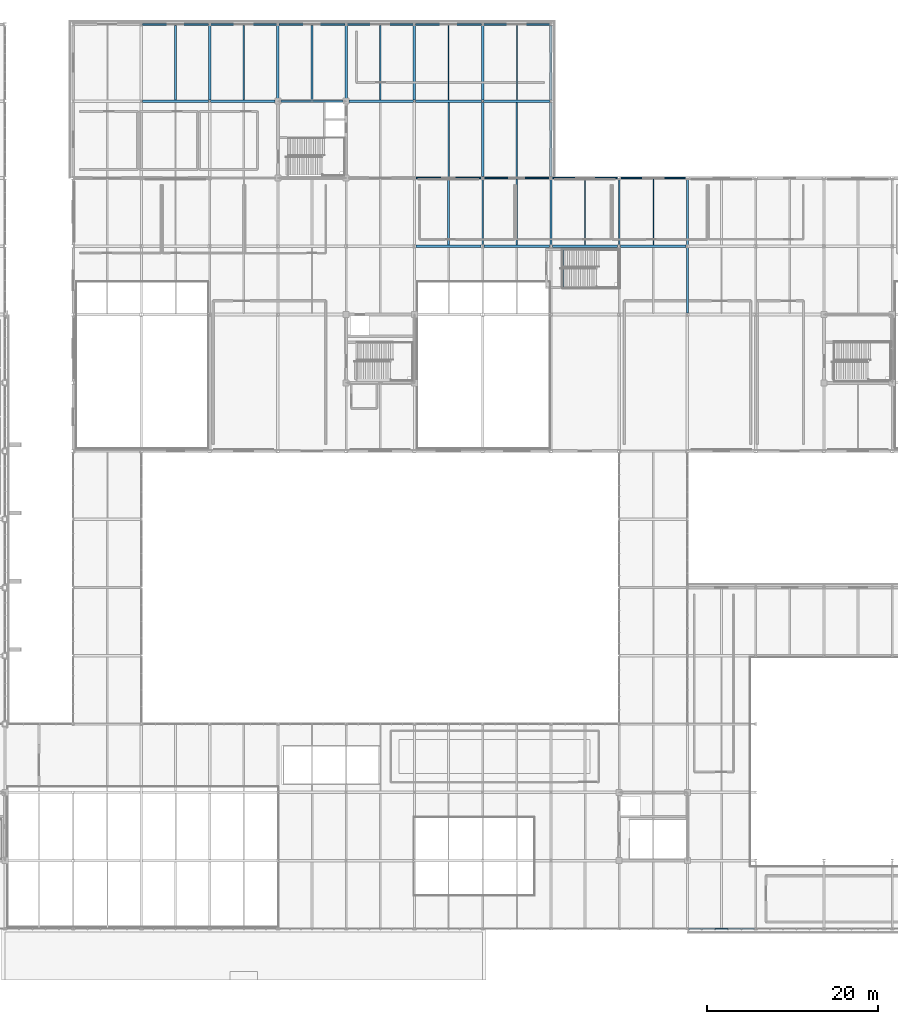
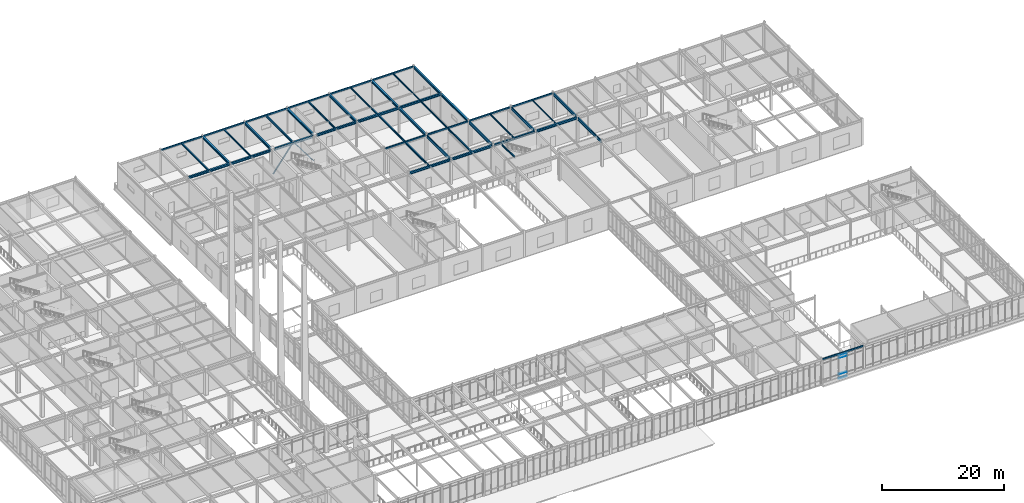
# One storey, part 71 of 184: 47 beams, 6 members, 1 element without a shape of its own.
"""IFC4 building model written with IfcOpenShell, lengths in metres."""

from ifc_helpers import new_model, si_unit, direction, frame, origin, origin_2d, place, context, subcontext, project, spatial, rectangle, hollow_rectangle, i_section, extrude, material, material_profile, profile_set, type_object, element, aggregate, save


model = new_model("IFC4")

# Units and contexts
model_context = context("Model", 3, precision=1e-05, world=origin(), true_north=direction((0.0, 1.0)))
body_context = subcontext(model_context, "Body", "Model", "MODEL_VIEW")
ifc_project = project(units=[si_unit("LENGTHUNIT", "METRE"), si_unit("AREAUNIT", "SQUARE_METRE"), si_unit("VOLUMEUNIT", "CUBIC_METRE"), si_unit("PLANEANGLEUNIT", "RADIAN"), si_unit("MASSUNIT", "GRAM", prefix="KILO")], contexts=[model_context])

# Site, building, storey
site_placement = place(None, origin())
site = spatial("IfcSite", under=ifc_project, at=site_placement, CompositionType="ELEMENT")
building_placement = place(site_placement, origin())
building = spatial("IfcBuilding", under=site, at=building_placement, Name="Zhaolan Boulevard Law Courts", CompositionType="ELEMENT")
storey_placement = place(building_placement, frame((0.0, 0.0, 5.39990234375)))
storey = spatial("IfcBuildingStorey", under=building, at=storey_placement, Name="L01", CompositionType="ELEMENT", Elevation=5.39990234375)

# Members
ifc_material_1 = material(Name="Structural steel Q355B", Category="steel")
ifc_material_profile_1 = material_profile(ifc_material_1, hollow_rectangle(XDim=0.179931640625, YDim=0.179931640625, WallThickness=0.008056640625, InnerFilletRadius=0.008056640625, OuterFilletRadius=0.01611328125, at=origin_2d()), Name="HSS180x180x8")
ifc_profile_set_1 = profile_set([ifc_material_profile_1], Name="Structural steel Q355B")
member_type_1 = type_object("IfcMemberType", Name="BRACE HSS180", PredefinedType="BRACE", material=ifc_profile_set_1)
member_1_placement = place(storey_placement, frame((83.820068359375, 103.0, 0.030029296875), z_axis=(-0.600251625626, 0.0, 0.799811218935), x_axis=(0.0, -1.0, 0.0)))
element("IfcMember", 1, at=member_1_placement, inside=storey, type_object=member_type_1, Name="Core Brace BR-C1-L01-N2", PredefinedType="BRACE", context=body_context, shape_type="SweptSolid", body=[
    extrude(hollow_rectangle(XDim=0.179931640625, YDim=0.179931640625, WallThickness=0.008056640625, InnerFilletRadius=0.008056640625, OuterFilletRadius=0.01611328125, at=origin_2d()), origin(), (0.0, 0.0, 1.0), 6.364013671875),
])
ifc_material_2 = material(Name="Structural steel Q355B", Category="steel")
ifc_material_profile_2 = material_profile(ifc_material_2, hollow_rectangle(XDim=0.199951171875, YDim=0.199951171875, WallThickness=0.010009765625, InnerFilletRadius=0.010009765625, OuterFilletRadius=0.02001953125, at=origin_2d()), Name="HSS200x200x10")
ifc_profile_set_2 = profile_set([ifc_material_profile_2], Name="Structural steel Q355B")
member_type_2 = type_object("IfcMemberType", Name="BRACE HSS200", PredefinedType="BRACE", material=ifc_profile_set_2)
member_2_placement = place(storey_placement, frame((76.179931640625, 103.0, 0.030029296875), z_axis=(0.600251625626, 0.0, 0.799811218935), x_axis=(0.0, 1.0, 0.0)))
element("IfcMember", 2, at=member_2_placement, inside=storey, type_object=member_type_2, Name="Core Brace BR-C1-L01-N1", PredefinedType="BRACE", context=body_context, shape_type="SweptSolid", body=[
    extrude(hollow_rectangle(XDim=0.199951171875, YDim=0.199951171875, WallThickness=0.010009765625, InnerFilletRadius=0.010009765625, OuterFilletRadius=0.02001953125, at=origin_2d()), origin(), (0.0, 0.0, 1.0), 6.364013671875),
])

# Curtain wall, members
ifc_material_3 = material(Name="Thermally broken aluminium and low-E glazing", Category="aluminium")
curtain_wall_type = type_object("IfcCurtainWallType", Name="CURTAIN WALL M8", PredefinedType="USERDEFINED", material=ifc_material_3)
curtain_wall_placement = place(storey_placement, origin())
curtain_wall = element("IfcCurtainWall", 3, at=curtain_wall_placement, inside=storey, type_object=curtain_wall_type, Name="Curtain Wall CW-L01-056", ObjectType="CURTAIN WALL", PredefinedType="USERDEFINED")
ifc_material_4 = material(Name="Fluorocarbon-coated aluminium 6063-T6", Category="aluminium")
ifc_material_profile_3 = material_profile(ifc_material_4, rectangle(XDim=0.139892578125, YDim=0.06494140625, at=origin_2d()), Name="AL65x140")
ifc_profile_set_3 = profile_set([ifc_material_profile_3], Name="Fluorocarbon-coated aluminium 6063-T6")
member_type_3 = type_object("IfcMemberType", Name="CWTRANSOM 65X140", PredefinedType="USERDEFINED", material=ifc_profile_set_3)
member_3_placement = place(storey_placement, frame((127.2578125, 6.0, 0.03271484375), z_axis=(1.0, 0.0, 0.0), x_axis=(0.0, 1.0, 0.0)))
member_3 = element("IfcMember", 4, at=member_3_placement, type_object=member_type_3, Name="CW-L01-056 transom 3.1", ObjectType="TRANSOM", PredefinedType="USERDEFINED", context=body_context, shape_type="SweptSolid", body=[
    extrude(rectangle(XDim=0.139892578125, YDim=0.06494140625, at=origin_2d()), origin(), (0.0, 0.0, 1.0), 1.484375),
])
member_4_placement = place(storey_placement, frame((127.2578125, 6.0, 0.900146484375), z_axis=(1.0, 0.0, 0.0), x_axis=(0.0, 1.0, 0.0)))
member_4 = element("IfcMember", 5, at=member_4_placement, type_object=member_type_3, Name="CW-L01-056 transom 3.2", ObjectType="TRANSOM", PredefinedType="USERDEFINED", context=body_context, shape_type="SweptSolid", body=[
    extrude(rectangle(XDim=0.139892578125, YDim=0.06494140625, at=origin_2d()), origin(), (0.0, 0.0, 1.0), 1.484375),
])
member_5_placement = place(storey_placement, frame((127.2578125, 6.0, 4.153076171875), z_axis=(1.0, 0.0, 0.0), x_axis=(0.0, 1.0, 0.0)))
member_5 = element("IfcMember", 6, at=member_5_placement, type_object=member_type_3, Name="CW-L01-056 transom 3.3", ObjectType="TRANSOM", PredefinedType="USERDEFINED", context=body_context, shape_type="SweptSolid", body=[
    extrude(rectangle(XDim=0.139892578125, YDim=0.06494140625, at=origin_2d()), origin(), (0.0, 0.0, 1.0), 1.484375),
])
member_6_placement = place(storey_placement, frame((127.2578125, 6.0, 4.7705078125), z_axis=(1.0, 0.0, 0.0), x_axis=(0.0, 1.0, 0.0)))
member_6 = element("IfcMember", 7, at=member_6_placement, type_object=member_type_3, Name="CW-L01-056 transom 3.4", ObjectType="TRANSOM", PredefinedType="USERDEFINED", context=body_context, shape_type="SweptSolid", body=[
    extrude(rectangle(XDim=0.139892578125, YDim=0.06494140625, at=origin_2d()), origin(), (0.0, 0.0, 1.0), 1.484375),
])
aggregate(curtain_wall, [member_3, member_4, member_5, member_6])

# Beams
ifc_material_5 = material(Name="Structural steel Q355B", Category="steel")
ifc_material_profile_4 = material_profile(ifc_material_5, i_section(OverallWidth=0.300048828125, OverallDepth=0.43994140625, WebThickness=0.010986328125, FlangeThickness=0.01806640625, FilletRadius=0.02001953125, at=origin_2d()), Name="HM440x300")
ifc_profile_set_4 = profile_set([ifc_material_profile_4], Name="Structural steel Q355B")
beam_type_1 = type_object("IfcBeamType", Name="GIRDER HM440", PredefinedType="BEAM", material=ifc_profile_set_4)
for number, where, z_axis, x_axis, name in (
    (8, (92.1708984375, 86.0, 4.898193359375), (1.0, 0.0, 0.0), (0.0, 1.0, 0.0), "Beam BX-L02-12-13-M"),
    (9, (100.1708984375, 86.0, 4.898193359375), (1.0, 0.0, 0.0), (0.0, 1.0, 0.0), "Beam BX-L02-13-14-M"),
    (10, (108.1708984375, 86.0, 4.898193359375), (1.0, 0.0, 0.0), (0.0, 1.0, 0.0), "Beam BX-L02-14-15-M"),
    (11, (116.1708984375, 86.0, 4.898193359375), (1.0, 0.0, 0.0), (0.0, 1.0, 0.0), "Beam BX-L02-15-16-M"),
):
    element("IfcBeam", number, at=place(storey_placement, frame(where, z_axis=z_axis, x_axis=x_axis)), inside=storey, type_object=beam_type_1, Name=name, PredefinedType="BEAM", context=body_context, shape_type="SweptSolid", body=[
        extrude(i_section(OverallWidth=0.300048828125, OverallDepth=0.43994140625, WebThickness=0.010986328125, FlangeThickness=0.01806640625, FilletRadius=0.02001953125, at=origin_2d()), origin(), (0.0, 0.0, 1.0), 7.658203125),
    ])
beam_1_placement = place(storey_placement, frame((60.12109375, 103.0, 4.918212890625), z_axis=(1.0, 0.0, 0.0), x_axis=(0.0, 1.0, 0.0)))
element("IfcBeam", 12, at=beam_1_placement, inside=storey, type_object=beam_type_1, Name="Beam BX-L02-8-9-P", PredefinedType="BEAM", context=body_context, shape_type="SweptSolid", body=[
    extrude(i_section(OverallWidth=0.300048828125, OverallDepth=0.43994140625, WebThickness=0.010986328125, FlangeThickness=0.01806640625, FilletRadius=0.02001953125, at=origin_2d()), origin(), (0.0, 0.0, 1.0), 7.7578125),
])
beam_2_placement = place(storey_placement, frame((68.12109375, 103.0, 4.918212890625), z_axis=(1.0, 0.0, 0.0), x_axis=(0.0, 1.0, 0.0)))
element("IfcBeam", 13, at=beam_2_placement, inside=storey, type_object=beam_type_1, Name="Beam BX-L02-9-10-P", PredefinedType="BEAM", context=body_context, shape_type="SweptSolid", body=[
    extrude(i_section(OverallWidth=0.300048828125, OverallDepth=0.43994140625, WebThickness=0.010986328125, FlangeThickness=0.01806640625, FilletRadius=0.02001953125, at=origin_2d()), origin(), (0.0, 0.0, 1.0), 7.532958984375),
])
beam_3_placement = place(storey_placement, frame((76.345947265625, 103.0, 4.918212890625), z_axis=(1.0, 0.0, 0.0), x_axis=(0.0, 1.0, 0.0)))
element("IfcBeam", 14, at=beam_3_placement, inside=storey, type_object=beam_type_1, Name="Beam BX-L02-10-11-P", PredefinedType="BEAM", context=body_context, shape_type="SweptSolid", body=[
    extrude(i_section(OverallWidth=0.300048828125, OverallDepth=0.43994140625, WebThickness=0.010986328125, FlangeThickness=0.01806640625, FilletRadius=0.02001953125, at=origin_2d()), origin(), (0.0, 0.0, 1.0), 7.30810546875),
])
beam_4_placement = place(storey_placement, frame((84.345947265625, 103.0, 4.918212890625), z_axis=(1.0, 0.0, 0.0), x_axis=(0.0, 1.0, 0.0)))
element("IfcBeam", 15, at=beam_4_placement, inside=storey, type_object=beam_type_1, Name="Beam BX-L02-11-12-P", PredefinedType="BEAM", context=body_context, shape_type="SweptSolid", body=[
    extrude(i_section(OverallWidth=0.300048828125, OverallDepth=0.43994140625, WebThickness=0.010986328125, FlangeThickness=0.01806640625, FilletRadius=0.02001953125, at=origin_2d()), origin(), (0.0, 0.0, 1.0), 7.532958984375),
])
for number, where, z_axis, x_axis, name in (
    (16, (92.12109375, 103.0, 4.918212890625), (1.0, 0.0, 0.0), (0.0, 1.0, 0.0), "Beam BX-L02-12-13-P"),
    (17, (100.12109375, 103.0, 4.918212890625), (1.0, 0.0, 0.0), (0.0, 1.0, 0.0), "Beam BX-L02-13-14-P"),
):
    element("IfcBeam", number, at=place(storey_placement, frame(where, z_axis=z_axis, x_axis=x_axis)), inside=storey, type_object=beam_type_1, Name=name, PredefinedType="BEAM", context=body_context, shape_type="SweptSolid", body=[
        extrude(i_section(OverallWidth=0.300048828125, OverallDepth=0.43994140625, WebThickness=0.010986328125, FlangeThickness=0.01806640625, FilletRadius=0.02001953125, at=origin_2d()), origin(), (0.0, 0.0, 1.0), 7.7578125),
    ])
ifc_material_6 = material(Name="Structural steel Q355B", Category="steel")
ifc_material_profile_5 = material_profile(ifc_material_6, i_section(OverallWidth=0.300048828125, OverallDepth=0.48193359375, WebThickness=0.010986328125, FlangeThickness=0.014892578125, FilletRadius=0.02197265625, at=origin_2d()), Name="HM482x300")
ifc_profile_set_5 = profile_set([ifc_material_profile_5], Name="Structural steel Q355B")
beam_type_2 = type_object("IfcBeamType", Name="GIRDER HM488", PredefinedType="BEAM", material=ifc_profile_set_5)
beam_5_placement = place(storey_placement, frame((68.0, 103.12109375, 4.897216796875), z_axis=(0.0, 1.0, 0.0), x_axis=(-1.0, 0.0, 0.0)))
element("IfcBeam", 18, at=beam_5_placement, inside=storey, type_object=beam_type_2, Name="Beam BY-L02-9-P-Q", PredefinedType="BEAM", context=body_context, shape_type="SweptSolid", body=[
    extrude(i_section(OverallWidth=0.300048828125, OverallDepth=0.48193359375, WebThickness=0.010986328125, FlangeThickness=0.014892578125, FilletRadius=0.02197265625, at=origin_2d()), origin(), (0.0, 0.0, 1.0), 8.7578125),
])
for number, where, z_axis, x_axis, name in (
    (19, (76.0, 103.345947265625, 4.897216796875), (0.0, 1.0, 0.0), (-1.0, 0.0, 0.0), "Beam BY-L02-10-P-Q"),
    (20, (84.0, 103.345947265625, 4.897216796875), (0.0, 1.0, 0.0), (-1.0, 0.0, 0.0), "Beam BY-L02-11-P-Q"),
):
    element("IfcBeam", number, at=place(storey_placement, frame(where, z_axis=z_axis, x_axis=x_axis)), inside=storey, type_object=beam_type_2, Name=name, PredefinedType="BEAM", context=body_context, shape_type="SweptSolid", body=[
        extrude(i_section(OverallWidth=0.300048828125, OverallDepth=0.48193359375, WebThickness=0.010986328125, FlangeThickness=0.014892578125, FilletRadius=0.02197265625, at=origin_2d()), origin(), (0.0, 0.0, 1.0), 8.532958984375),
    ])
beam_6_placement = place(storey_placement, frame((92.0, 103.12109375, 4.897216796875), z_axis=(0.0, 1.0, 0.0), x_axis=(-1.0, 0.0, 0.0)))
element("IfcBeam", 21, at=beam_6_placement, inside=storey, type_object=beam_type_2, Name="Beam BY-L02-12-P-Q", PredefinedType="BEAM", context=body_context, shape_type="SweptSolid", body=[
    extrude(i_section(OverallWidth=0.300048828125, OverallDepth=0.48193359375, WebThickness=0.010986328125, FlangeThickness=0.014892578125, FilletRadius=0.02197265625, at=origin_2d()), origin(), (0.0, 0.0, 1.0), 8.7578125),
])
beam_7_placement = place(storey_placement, frame((100.0, 94.1708984375, 4.897216796875), z_axis=(0.0, 1.0, 0.0), x_axis=(-1.0, 0.0, 0.0)))
element("IfcBeam", 22, at=beam_7_placement, inside=storey, type_object=beam_type_2, Name="Beam BY-L02-13-N-P", PredefinedType="BEAM", context=body_context, shape_type="SweptSolid", body=[
    extrude(i_section(OverallWidth=0.300048828125, OverallDepth=0.48193359375, WebThickness=0.010986328125, FlangeThickness=0.014892578125, FilletRadius=0.02197265625, at=origin_2d()), origin(), (0.0, 0.0, 1.0), 8.7080078125),
])
beam_8_placement = place(storey_placement, frame((100.0, 103.12109375, 4.897216796875), z_axis=(0.0, 1.0, 0.0), x_axis=(-1.0, 0.0, 0.0)))
element("IfcBeam", 23, at=beam_8_placement, inside=storey, type_object=beam_type_2, Name="Beam BY-L02-13-P-Q", PredefinedType="BEAM", context=body_context, shape_type="SweptSolid", body=[
    extrude(i_section(OverallWidth=0.300048828125, OverallDepth=0.48193359375, WebThickness=0.010986328125, FlangeThickness=0.014892578125, FilletRadius=0.02197265625, at=origin_2d()), origin(), (0.0, 0.0, 1.0), 8.7578125),
])
beam_9_placement = place(storey_placement, frame((108.0, 94.1708984375, 4.897216796875), z_axis=(0.0, 1.0, 0.0), x_axis=(-1.0, 0.0, 0.0)))
element("IfcBeam", 24, at=beam_9_placement, inside=storey, type_object=beam_type_2, Name="Beam BY-L02-14-N-P", PredefinedType="BEAM", context=body_context, shape_type="SweptSolid", body=[
    extrude(i_section(OverallWidth=0.300048828125, OverallDepth=0.48193359375, WebThickness=0.010986328125, FlangeThickness=0.014892578125, FilletRadius=0.02197265625, at=origin_2d()), origin(), (0.0, 0.0, 1.0), 8.7080078125),
])
beam_10_placement = place(storey_placement, frame((108.0, 103.12109375, 4.897216796875), z_axis=(0.0, 1.0, 0.0), x_axis=(-1.0, 0.0, 0.0)))
element("IfcBeam", 25, at=beam_10_placement, inside=storey, type_object=beam_type_2, Name="Beam BY-L02-14-P-Q", PredefinedType="BEAM", context=body_context, shape_type="SweptSolid", body=[
    extrude(i_section(OverallWidth=0.300048828125, OverallDepth=0.48193359375, WebThickness=0.010986328125, FlangeThickness=0.014892578125, FilletRadius=0.02197265625, at=origin_2d()), origin(), (0.0, 0.0, 1.0), 8.7578125),
])
ifc_material_7 = material(Name="Structural steel Q355B", Category="steel")
ifc_material_profile_6 = material_profile(ifc_material_7, i_section(OverallWidth=0.199951171875, OverallDepth=0.60009765625, WebThickness=0.010986328125, FlangeThickness=0.01708984375, FilletRadius=0.02001953125, at=origin_2d()), Name="HN600x200")
ifc_profile_set_6 = profile_set([ifc_material_profile_6], Name="Structural steel Q355B")
beam_type_3 = type_object("IfcBeamType", Name="GIRDER HN600", PredefinedType="BEAM", material=ifc_profile_set_6)
for number, where, z_axis, x_axis, name in (
    (26, (100.0, 86.1708984375, 4.818115234375), (0.0, 1.0, 0.0), (-1.0, 0.0, 0.0), "Beam BY-L02-13-M-N"),
    (27, (108.0, 86.1708984375, 4.818115234375), (0.0, 1.0, 0.0), (-1.0, 0.0, 0.0), "Beam BY-L02-14-M-N"),
    (28, (116.0, 86.1708984375, 4.818115234375), (0.0, 1.0, 0.0), (-1.0, 0.0, 0.0), "Beam BY-L02-15-M-N"),
    (29, (124.0, 78.1708984375, 4.818115234375), (0.0, 1.0, 0.0), (-1.0, 0.0, 0.0), "Beam BY-L02-16-L-M"),
    (30, (124.0, 86.1708984375, 4.818115234375), (0.0, 1.0, 0.0), (-1.0, 0.0, 0.0), "Beam BY-L02-16-M-N"),
):
    element("IfcBeam", number, at=place(storey_placement, frame(where, z_axis=z_axis, x_axis=x_axis)), inside=storey, type_object=beam_type_3, Name=name, PredefinedType="BEAM", context=body_context, shape_type="SweptSolid", body=[
        extrude(i_section(OverallWidth=0.199951171875, OverallDepth=0.60009765625, WebThickness=0.010986328125, FlangeThickness=0.01708984375, FilletRadius=0.02001953125, at=origin_2d()), origin(), (0.0, 0.0, 1.0), 7.658203125),
    ])
ifc_material_8 = material(Name="Structural steel Q355B", Category="steel")
ifc_material_profile_7 = material_profile(ifc_material_8, i_section(OverallWidth=0.175048828125, OverallDepth=0.243896484375, WebThickness=0.007080078125, FlangeThickness=0.010986328125, FilletRadius=0.012939453125, at=origin_2d()), Name="HM244x175")
ifc_profile_set_7 = profile_set([ifc_material_profile_7], Name="Structural steel Q355B")
beam_type_4 = type_object("IfcBeamType", Name="JOIST HM244", PredefinedType="JOIST", material=ifc_profile_set_7)
beam_11_placement = place(storey_placement, frame((72.0, 103.14599609375, 5.01611328125), z_axis=(0.0, 1.0, 0.0), x_axis=(-1.0, 0.0, 0.0)))
element("IfcBeam", 31, at=beam_11_placement, inside=storey, type_object=beam_type_4, Name="Composite Joist J-L02-9P", PredefinedType="JOIST", context=body_context, shape_type="SweptSolid", body=[
    extrude(i_section(OverallWidth=0.175048828125, OverallDepth=0.243896484375, WebThickness=0.007080078125, FlangeThickness=0.010986328125, FilletRadius=0.012939453125, at=origin_2d()), origin(), (0.0, 0.0, 1.0), 8.758056640625),
])
ifc_material_9 = material(Name="Structural steel Q355B", Category="steel")
ifc_material_profile_8 = material_profile(ifc_material_9, i_section(OverallWidth=0.199951171875, OverallDepth=0.2939453125, WebThickness=0.008056640625, FlangeThickness=0.011962890625, FilletRadius=0.01611328125, at=origin_2d()), Name="HM294x200")
ifc_profile_set_8 = profile_set([ifc_material_profile_8], Name="Structural steel Q355B")
beam_type_5 = type_object("IfcBeamType", Name="JOIST HM294", PredefinedType="JOIST", material=ifc_profile_set_8)
beam_12_placement = place(storey_placement, frame((64.0, 103.14599609375, 4.9912109375), z_axis=(0.0, 1.0, 0.0), x_axis=(-1.0, 0.0, 0.0)))
element("IfcBeam", 32, at=beam_12_placement, inside=storey, type_object=beam_type_5, Name="Composite Joist J-L02-8P", PredefinedType="JOIST", context=body_context, shape_type="SweptSolid", body=[
    extrude(i_section(OverallWidth=0.199951171875, OverallDepth=0.2939453125, WebThickness=0.008056640625, FlangeThickness=0.011962890625, FilletRadius=0.01611328125, at=origin_2d()), origin(), (0.0, 0.0, 1.0), 8.758056640625),
])
ifc_material_10 = material(Name="Structural steel Q355B", Category="steel")
ifc_material_profile_9 = material_profile(ifc_material_10, i_section(OverallWidth=0.125, OverallDepth=0.25, WebThickness=0.006103515625, FlangeThickness=0.009033203125, FilletRadius=0.010009765625, at=origin_2d()), Name="HN250x125")
ifc_profile_set_9 = profile_set([ifc_material_profile_9], Name="Structural steel Q355B")
beam_type_6 = type_object("IfcBeamType", Name="JOIST HN250", PredefinedType="JOIST", material=ifc_profile_set_9)
beam_13_placement = place(storey_placement, frame((104.0, 103.14599609375, 5.01318359375), z_axis=(0.0, 1.0, 0.0), x_axis=(-1.0, 0.0, 0.0)))
element("IfcBeam", 33, at=beam_13_placement, inside=storey, type_object=beam_type_6, Name="Composite Joist J-L02-13P", PredefinedType="JOIST", context=body_context, shape_type="SweptSolid", body=[
    extrude(i_section(OverallWidth=0.125, OverallDepth=0.25, WebThickness=0.006103515625, FlangeThickness=0.009033203125, FilletRadius=0.010009765625, at=origin_2d()), origin(), (0.0, 0.0, 1.0), 8.758056640625),
])
beam_14_placement = place(storey_placement, frame((120.0, 86.14599609375, 4.9931640625), z_axis=(0.0, 1.0, 0.0), x_axis=(-1.0, 0.0, 0.0)))
element("IfcBeam", 34, at=beam_14_placement, inside=storey, type_object=beam_type_6, Name="Composite Joist J-L02-15M", PredefinedType="JOIST", context=body_context, shape_type="SweptSolid", body=[
    extrude(i_section(OverallWidth=0.125, OverallDepth=0.25, WebThickness=0.006103515625, FlangeThickness=0.009033203125, FilletRadius=0.010009765625, at=origin_2d()), origin(), (0.0, 0.0, 1.0), 7.758056640625),
])
ifc_material_11 = material(Name="Structural steel Q355B", Category="steel")
ifc_material_profile_10 = material_profile(ifc_material_11, i_section(OverallWidth=0.14990234375, OverallDepth=0.300048828125, WebThickness=0.006591796875, FlangeThickness=0.009033203125, FilletRadius=0.010986328125, at=origin_2d()), Name="HN300x150")
ifc_profile_set_10 = profile_set([ifc_material_profile_10], Name="Structural steel Q355B")
beam_type_7 = type_object("IfcBeamType", Name="JOIST HN300", PredefinedType="JOIST", material=ifc_profile_set_10)
for number, where, z_axis, x_axis, name in (
    (35, (96.0, 103.14599609375, 4.988037109375), (0.0, 1.0, 0.0), (-1.0, 0.0, 0.0), "Composite Joist J-L02-12P"),
    (36, (104.0, 94.095947265625, 4.988037109375), (0.0, 1.0, 0.0), (-1.0, 0.0, 0.0), "Composite Joist J-L02-13N"),
):
    element("IfcBeam", number, at=place(storey_placement, frame(where, z_axis=z_axis, x_axis=x_axis)), inside=storey, type_object=beam_type_7, Name=name, PredefinedType="JOIST", context=body_context, shape_type="SweptSolid", body=[
        extrude(i_section(OverallWidth=0.14990234375, OverallDepth=0.300048828125, WebThickness=0.006591796875, FlangeThickness=0.009033203125, FilletRadius=0.010986328125, at=origin_2d()), origin(), (0.0, 0.0, 1.0), 8.758056640625),
    ])
beam_15_placement = place(storey_placement, frame((112.0, 86.14599609375, 4.968017578125), z_axis=(0.0, 1.0, 0.0), x_axis=(-1.0, 0.0, 0.0)))
element("IfcBeam", 37, at=beam_15_placement, inside=storey, type_object=beam_type_7, Name="Composite Joist J-L02-14M", PredefinedType="JOIST", context=body_context, shape_type="SweptSolid", body=[
    extrude(i_section(OverallWidth=0.14990234375, OverallDepth=0.300048828125, WebThickness=0.006591796875, FlangeThickness=0.009033203125, FilletRadius=0.010986328125, at=origin_2d()), origin(), (0.0, 0.0, 1.0), 7.758056640625),
])
ifc_material_12 = material(Name="Structural steel Q355B", Category="steel")
ifc_material_profile_11 = material_profile(ifc_material_12, i_section(OverallWidth=0.175048828125, OverallDepth=0.35009765625, WebThickness=0.007080078125, FlangeThickness=0.010986328125, FilletRadius=0.012939453125, at=origin_2d()), Name="HN350x175")
ifc_profile_set_11 = profile_set([ifc_material_profile_11], Name="Structural steel Q355B")
beam_type_8 = type_object("IfcBeamType", Name="JOIST HN350", PredefinedType="JOIST", material=ifc_profile_set_11)
for number, where, z_axis, x_axis, name in (
    (38, (88.0, 103.14599609375, 4.963134765625), (0.0, 1.0, 0.0), (-1.0, 0.0, 0.0), "Composite Joist J-L02-11P"),
    (39, (96.0, 94.095947265625, 4.963134765625), (0.0, 1.0, 0.0), (-1.0, 0.0, 0.0), "Composite Joist J-L02-12N"),
):
    element("IfcBeam", number, at=place(storey_placement, frame(where, z_axis=z_axis, x_axis=x_axis)), inside=storey, type_object=beam_type_8, Name=name, PredefinedType="JOIST", context=body_context, shape_type="SweptSolid", body=[
        extrude(i_section(OverallWidth=0.175048828125, OverallDepth=0.35009765625, WebThickness=0.007080078125, FlangeThickness=0.010986328125, FilletRadius=0.012939453125, at=origin_2d()), origin(), (0.0, 0.0, 1.0), 8.758056640625),
    ])
beam_16_placement = place(storey_placement, frame((104.0, 86.14599609375, 4.943115234375), z_axis=(0.0, 1.0, 0.0), x_axis=(-1.0, 0.0, 0.0)))
element("IfcBeam", 40, at=beam_16_placement, inside=storey, type_object=beam_type_8, Name="Composite Joist J-L02-13M", PredefinedType="JOIST", context=body_context, shape_type="SweptSolid", body=[
    extrude(i_section(OverallWidth=0.175048828125, OverallDepth=0.35009765625, WebThickness=0.007080078125, FlangeThickness=0.010986328125, FilletRadius=0.012939453125, at=origin_2d()), origin(), (0.0, 0.0, 1.0), 7.758056640625),
])
ifc_material_13 = material(Name="Structural steel Q355B", Category="steel")
ifc_material_profile_12 = material_profile(ifc_material_13, i_section(OverallWidth=0.199951171875, OverallDepth=0.39990234375, WebThickness=0.008056640625, FlangeThickness=0.012939453125, FilletRadius=0.013916015625, at=origin_2d()), Name="HN400x200")
ifc_profile_set_12 = profile_set([ifc_material_profile_12], Name="Structural steel Q355B")
beam_type_9 = type_object("IfcBeamType", Name="JOIST HN400", PredefinedType="JOIST", material=ifc_profile_set_12)
beam_17_placement = place(storey_placement, frame((80.0, 103.14599609375, 4.93798828125), z_axis=(0.0, 1.0, 0.0), x_axis=(-1.0, 0.0, 0.0)))
element("IfcBeam", 41, at=beam_17_placement, inside=storey, type_object=beam_type_9, Name="Composite Joist J-L02-10P", PredefinedType="JOIST", context=body_context, shape_type="SweptSolid", body=[
    extrude(i_section(OverallWidth=0.199951171875, OverallDepth=0.39990234375, WebThickness=0.008056640625, FlangeThickness=0.012939453125, FilletRadius=0.013916015625, at=origin_2d()), origin(), (0.0, 0.0, 1.0), 8.758056640625),
])
beam_18_placement = place(storey_placement, frame((96.0, 86.14599609375, 4.918212890625), z_axis=(0.0, 1.0, 0.0), x_axis=(-1.0, 0.0, 0.0)))
element("IfcBeam", 42, at=beam_18_placement, inside=storey, type_object=beam_type_9, Name="Composite Joist J-L02-12M", PredefinedType="JOIST", context=body_context, shape_type="SweptSolid", body=[
    extrude(i_section(OverallWidth=0.199951171875, OverallDepth=0.39990234375, WebThickness=0.008056640625, FlangeThickness=0.012939453125, FilletRadius=0.013916015625, at=origin_2d()), origin(), (0.0, 0.0, 1.0), 7.758056640625),
])
ifc_material_14 = material(Name="Structural steel Q355B", Category="steel")
ifc_material_profile_13 = material_profile(ifc_material_14, hollow_rectangle(XDim=0.199951171875, YDim=0.300048828125, WallThickness=0.011962890625, InnerFilletRadius=0.011962890625, OuterFilletRadius=0.02392578125, at=origin_2d()), Name="HSS300x200x12")
ifc_profile_set_13 = profile_set([ifc_material_profile_13], Name="Structural steel Q355B")
beam_type_10 = type_object("IfcBeamType", Name="SPANDREL HSS300", PredefinedType="SPANDREL", material=ifc_profile_set_13)
beam_19_placement = place(storey_placement, frame((124.12109375, 6.0, 4.968017578125), z_axis=(1.0, 0.0, 0.0), x_axis=(0.0, 1.0, 0.0)))
element("IfcBeam", 43, at=beam_19_placement, inside=storey, type_object=beam_type_10, Name="Beam BX-L02-16-17-B", PredefinedType="SPANDREL", context=body_context, shape_type="SweptSolid", body=[
    extrude(hollow_rectangle(XDim=0.199951171875, YDim=0.300048828125, WallThickness=0.011962890625, InnerFilletRadius=0.011962890625, OuterFilletRadius=0.02392578125, at=origin_2d()), origin(), (0.0, 0.0, 1.0), 7.7578125),
])
for number, where, z_axis, x_axis, name in (
    (44, (92.1708984375, 94.0, 4.968017578125), (1.0, 0.0, 0.0), (0.0, 1.0, 0.0), "Beam BX-L02-12-13-N"),
    (45, (100.1708984375, 94.0, 4.968017578125), (1.0, 0.0, 0.0), (0.0, 1.0, 0.0), "Beam BX-L02-13-14-N"),
    (46, (108.1708984375, 94.0, 4.968017578125), (1.0, 0.0, 0.0), (0.0, 1.0, 0.0), "Beam BX-L02-14-15-N"),
    (47, (116.1708984375, 94.0, 4.968017578125), (1.0, 0.0, 0.0), (0.0, 1.0, 0.0), "Beam BX-L02-15-16-N"),
):
    element("IfcBeam", number, at=place(storey_placement, frame(where, z_axis=z_axis, x_axis=x_axis)), inside=storey, type_object=beam_type_10, Name=name, PredefinedType="SPANDREL", context=body_context, shape_type="SweptSolid", body=[
        extrude(hollow_rectangle(XDim=0.199951171875, YDim=0.300048828125, WallThickness=0.011962890625, InnerFilletRadius=0.011962890625, OuterFilletRadius=0.02392578125, at=origin_2d()), origin(), (0.0, 0.0, 1.0), 7.658203125),
    ])
for number, where, z_axis, x_axis, name in (
    (48, (60.12109375, 112.0, 4.988037109375), (1.0, 0.0, 0.0), (0.0, 1.0, 0.0), "Beam BX-L02-8-9-Q"),
    (49, (68.12109375, 112.0, 4.988037109375), (1.0, 0.0, 0.0), (0.0, 1.0, 0.0), "Beam BX-L02-9-10-Q"),
    (50, (76.12109375, 112.0, 4.988037109375), (1.0, 0.0, 0.0), (0.0, 1.0, 0.0), "Beam BX-L02-10-11-Q"),
    (51, (84.12109375, 112.0, 4.988037109375), (1.0, 0.0, 0.0), (0.0, 1.0, 0.0), "Beam BX-L02-11-12-Q"),
    (52, (92.12109375, 112.0, 4.988037109375), (1.0, 0.0, 0.0), (0.0, 1.0, 0.0), "Beam BX-L02-12-13-Q"),
    (53, (100.12109375, 112.0, 4.988037109375), (1.0, 0.0, 0.0), (0.0, 1.0, 0.0), "Beam BX-L02-13-14-Q"),
):
    element("IfcBeam", number, at=place(storey_placement, frame(where, z_axis=z_axis, x_axis=x_axis)), inside=storey, type_object=beam_type_10, Name=name, PredefinedType="SPANDREL", context=body_context, shape_type="SweptSolid", body=[
        extrude(hollow_rectangle(XDim=0.199951171875, YDim=0.300048828125, WallThickness=0.011962890625, InnerFilletRadius=0.011962890625, OuterFilletRadius=0.02392578125, at=origin_2d()), origin(), (0.0, 0.0, 1.0), 7.7578125),
    ])
ifc_material_15 = material(Name="Structural steel Q355B", Category="steel")
ifc_material_profile_14 = material_profile(ifc_material_15, i_section(OverallWidth=0.175048828125, OverallDepth=0.35009765625, WebThickness=0.007080078125, FlangeThickness=0.010986328125, FilletRadius=0.012939453125, at=origin_2d()), Name="HN350x175")
ifc_profile_set_14 = profile_set([ifc_material_profile_14], Name="Structural steel Q355B")
beam_type_11 = type_object("IfcBeamType", Name="STAIR TRIMMER HN350", PredefinedType="BEAM", material=ifc_profile_set_14)
beam_20_placement = place(storey_placement, frame((109.385009765625, 81.199951171875, 4.93505859375), z_axis=(0.0, 1.0, 0.0), x_axis=(-1.0, 0.0, 0.0)))
element("IfcBeam", 54, at=beam_20_placement, inside=storey, type_object=beam_type_11, Name="Stair Landing Trimmer Beam STB-ST13-L02", PredefinedType="BEAM", context=body_context, shape_type="SweptSolid", body=[
    extrude(i_section(OverallWidth=0.175048828125, OverallDepth=0.35009765625, WebThickness=0.007080078125, FlangeThickness=0.010986328125, FilletRadius=0.012939453125, at=origin_2d()), origin(), (0.0, 0.0, 1.0), 4.35009765625),
])

save(model, "model.ifc")
